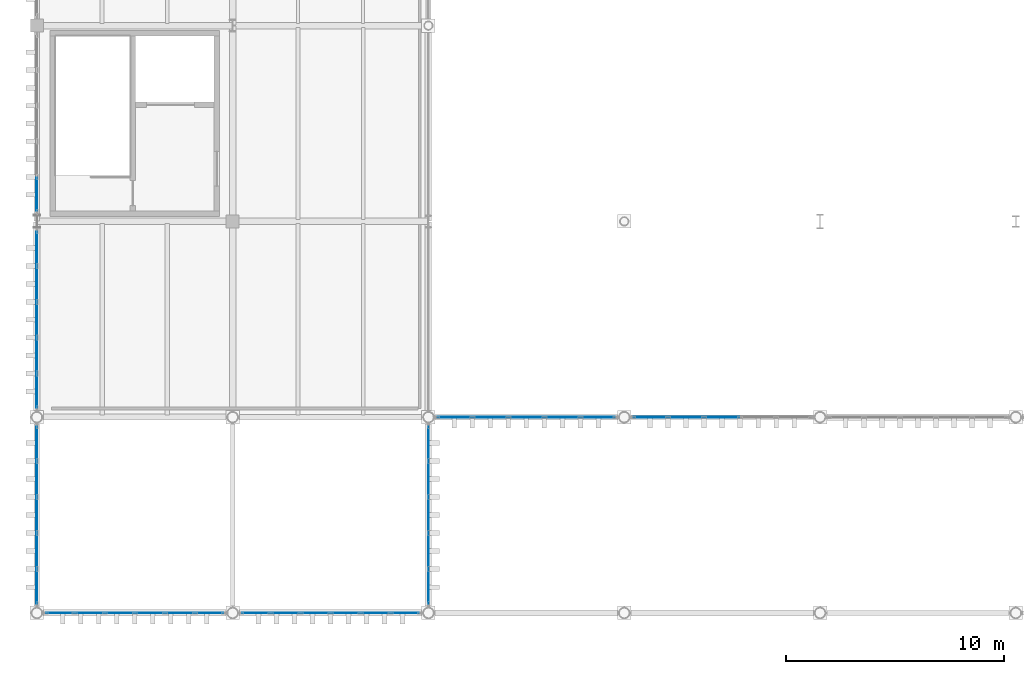
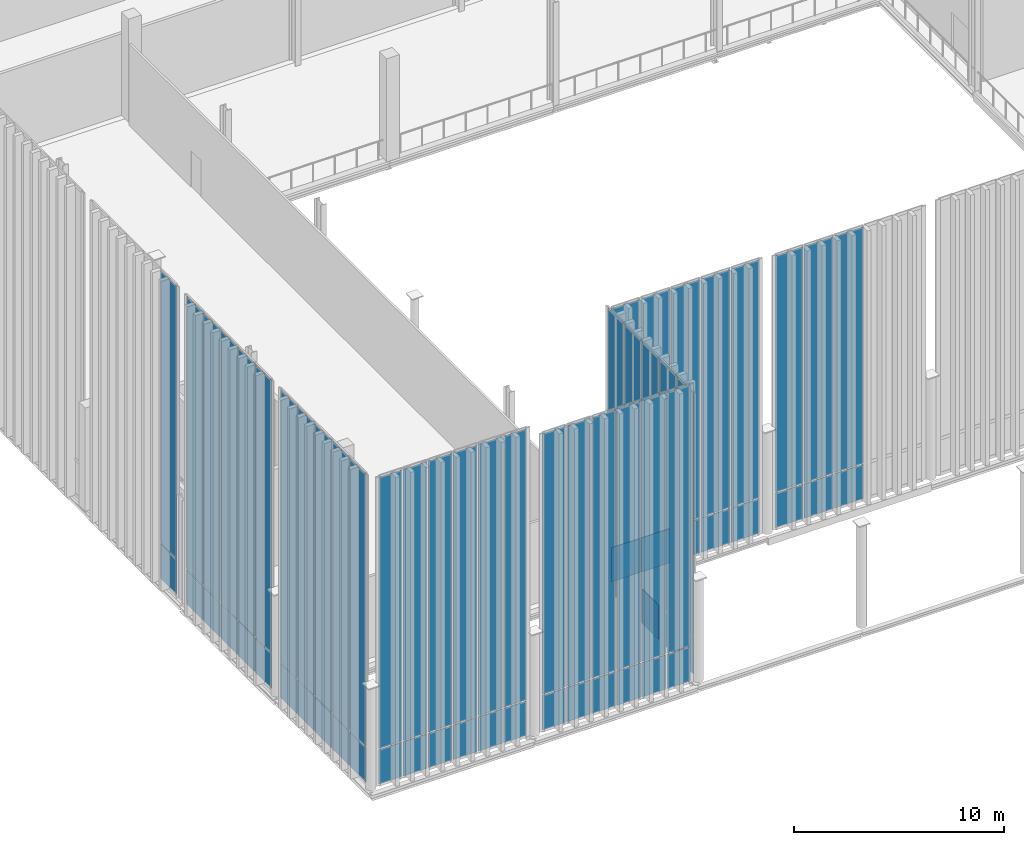
# One storey, part 181 of 237: 72 plates, 8 elements without a shape of their own.
"""IFC4 building model written with IfcOpenShell, lengths in metres."""

import ifcopenshell
import ifcopenshell.guid

model = None  # the IFC model being written
_history = None  # IfcOwnerHistory: only IFC2X3 demands one
_inside = {}  # id of a spatial element -> (the spatial element, [elements in it])
_under = {}  # id of a project, library or spatial element -> (it, [spatial elements below it])
_declared = {}  # id of a project -> (the project, [libraries it declares])
_typed = {}  # id of a type object -> (the type object, [elements of that type])
_made_of = {}  # id of a material, layer set ... -> (it, [elements and type objects made of it])


def new_model(schema):
    """Start an empty IFC model of exactly this schema.

    Asked for "IFC4X3", IfcOpenShell would pick the latest addendum, in which some entities
    have other attributes; the version numbers below select the first issue.
    IFC2X3 requires an IfcOwnerHistory on every rooted entity: one is made here for all.
    """
    global model, _history
    if schema == "IFC4X3":
        model = ifcopenshell.file(schema_version=(4, 3, 0, 0))
    else:
        model = ifcopenshell.file(schema=schema)
    _inside.clear()
    _under.clear()
    _declared.clear()
    _typed.clear()
    _made_of.clear()
    _history = None
    if model.schema == "IFC2X3":
        org = make("IfcOrganization", Name="unknown")
        user = make(
            "IfcPersonAndOrganization",
            ThePerson=make("IfcPerson", FamilyName="unknown"),
            TheOrganization=org,
        )
        app = make(
            "IfcApplication",
            ApplicationDeveloper=org,
            Version="unknown",
            ApplicationFullName="unknown",
            ApplicationIdentifier="unknown",
        )
        _history = make(
            "IfcOwnerHistory",
            OwningUser=user,
            OwningApplication=app,
            ChangeAction="ADDED",
            CreationDate=0,
        )
    return model


def make(cls, **values):
    """One entity of the class cls with the attributes given. An attribute that is None is left unset."""
    return model.create_entity(
        cls, **{name: value for name, value in values.items() if value is not None}
    )


def rooted(cls, **values):
    """An entity with a GlobalId (a new one), such as an element, a storey or a relation."""
    return make(cls, GlobalId=ifcopenshell.guid.new(), OwnerHistory=_history, **values)


def si_unit(unit_type, name, prefix=None):
    """IfcSIUnit, for example si_unit("LENGTHUNIT", "METRE", prefix="MILLI")."""
    return make("IfcSIUnit", UnitType=unit_type, Prefix=prefix, Name=name)


def assignment(units):
    """IfcUnitAssignment: the units of a project."""
    return None if units is None else make("IfcUnitAssignment", Units=units)


def point(xyz):
    """IfcCartesianPoint."""
    return None if xyz is None else make("IfcCartesianPoint", Coordinates=xyz)


def direction(xyz):
    """IfcDirection."""
    return None if xyz is None else make("IfcDirection", DirectionRatios=xyz)


def frame(location, z_axis=None, x_axis=None):
    """IfcAxis2Placement3D, a coordinate frame: its origin and axes. An axis left out is left unset."""
    return make(
        "IfcAxis2Placement3D",
        Location=point(location),
        Axis=direction(z_axis),
        RefDirection=direction(x_axis),
    )


def frame_2d(location, x_axis=None):
    """IfcAxis2Placement2D, a coordinate frame in the plane: its origin and x axis."""
    return make(
        "IfcAxis2Placement2D", Location=point(location), RefDirection=direction(x_axis)
    )


def origin():
    """The frame at (0, 0, 0) with its axes left unset."""
    return frame((0.0, 0.0, 0.0))


def origin_2d():
    """The frame at (0, 0) in the plane with its x axis left unset."""
    return frame_2d((0.0, 0.0))


def place(relative_to, where):
    """IfcLocalPlacement: puts the frame where relative to a parent placement (None: the world)."""
    return make(
        "IfcLocalPlacement", PlacementRelTo=relative_to, RelativePlacement=where
    )


def context(
    kind, dimensions, precision=None, world=None, true_north=None, identifier=None
):
    """IfcGeometricRepresentationContext, for example the 3D "Model" context."""
    return make(
        "IfcGeometricRepresentationContext",
        ContextIdentifier=identifier,
        ContextType=kind,
        CoordinateSpaceDimension=dimensions,
        Precision=precision,
        WorldCoordinateSystem=world,
        TrueNorth=true_north,
    )


def subcontext(parent, identifier, kind, view, scale=None):
    """IfcGeometricRepresentationSubContext, for example "Body" below "Model"."""
    return make(
        "IfcGeometricRepresentationSubContext",
        ContextIdentifier=identifier,
        ContextType=kind,
        ParentContext=parent,
        TargetScale=scale,
        TargetView=view,
    )


def project(units=None, contexts=None):
    """IfcProject with its units and contexts."""
    return rooted(
        "IfcProject",
        Name="project",
        RepresentationContexts=contexts,
        UnitsInContext=assignment(units),
    )


def spatial(cls, under=None, at=None, **own):
    """A site, building, storey or space (cls), placed at a placement, below another one or the project."""
    s = rooted(cls, ObjectPlacement=at, **own)
    if under is not None:
        _under.setdefault(under.id(), (under, []))[1].append(s)
    return s


def profile(cls, at=None, kind="AREA", **sizes):
    """A parametric profile (cls). Its sizes go by their IFC names, for example OverallWidth=200.0."""
    return make(cls, ProfileType=kind, Position=at, **sizes)


def rectangle(**sizes):
    """IfcRectangleProfileDef."""
    return profile("IfcRectangleProfileDef", **sizes)


def extrude(swept, where, along, depth):
    """IfcExtrudedAreaSolid: the profile swept, set in the frame where, extruded along a direction by depth."""
    return make(
        "IfcExtrudedAreaSolid",
        SweptArea=swept,
        Position=where,
        ExtrudedDirection=direction(along),
        Depth=depth,
    )


def shape(context_of_items, identifier, shape_type, items):
    """IfcShapeRepresentation: the items that make up one representation, for example the "Body"."""
    return make(
        "IfcShapeRepresentation",
        ContextOfItems=context_of_items,
        RepresentationIdentifier=identifier,
        RepresentationType=shape_type,
        Items=items,
    )


def material(Name=None, Category=None):
    """IfcMaterial."""
    return make("IfcMaterial", Name=Name, Category=Category)


def layer(
    of_material, thickness, ventilated=None, Name=None, Category=None, Priority=None
):
    """IfcMaterialLayer: one layer of a wall or slab, of a material (None: an air gap)."""
    return make(
        "IfcMaterialLayer",
        Material=of_material,
        LayerThickness=thickness,
        IsVentilated=ventilated,
        Name=Name,
        Category=Category,
        Priority=Priority,
    )


def layer_set(layers, Name=None):
    """IfcMaterialLayerSet."""
    return make("IfcMaterialLayerSet", MaterialLayers=layers, LayerSetName=Name)


def made_of(thing, what):
    """Note that an element or type object is made of a material, layer set ...; save() writes the relation."""
    if what is not None:
        _made_of.setdefault(what.id(), (what, []))[1].append(thing)
    return thing


def type_object(cls, material=None, **own):
    """A type object (cls), such as IfcWallType, which elements share."""
    return made_of(rooted(cls, **own), material)


def element(
    cls,
    number,
    at=None,
    inside=None,
    cuts=None,
    type_object=None,
    material=None,
    context=None,
    identifier="Body",
    shape_type=None,
    held_by="IfcProductDefinitionShape",
    body=None,
    shapes=None,
    **own,
):
    """One element of the class cls, such as IfcWall. Its Tag is "e" and its number.

    at: its placement. inside: the storey or other place that contains it. cuts: it is an
    opening in that element (IfcRelVoidsElement). A single representation is given by context,
    identifier, shape_type and body (its items); several are given by shapes. held_by: the class
    of the entity that holds the representations. save() writes the other relations.
    """
    e = rooted(cls, Tag="e%d" % number, ObjectPlacement=at, **own)
    if body is not None:
        shapes = [shape(context, identifier, shape_type, body)]
    if shapes is not None:
        e.Representation = make(held_by, Representations=shapes)
    if inside is not None:
        _inside.setdefault(inside.id(), (inside, []))[1].append(e)
    if cuts is not None:
        rooted(
            "IfcRelVoidsElement", RelatingBuildingElement=cuts, RelatedOpeningElement=e
        )
    if type_object is not None:
        _typed.setdefault(type_object.id(), (type_object, []))[1].append(e)
    return made_of(e, material)


def aggregate(whole, parts):
    """IfcRelAggregates: a whole, such as a stair, and the parts it consists of."""
    return rooted("IfcRelAggregates", RelatingObject=whole, RelatedObjects=parts)


def save(model, path):
    """Write the relations noted so far, then the file.

    IfcRelAggregates (storeys below a building ...), IfcRelContainedInSpatialStructure (elements
    in a storey), IfcRelDefinesByType, IfcRelAssociatesMaterial and IfcRelDeclares: one each for
    every whole, place, type object, material and project.
    """
    for whole, parts in _under.values():
        aggregate(whole, parts)
    for where, things in _inside.values():
        rooted(
            "IfcRelContainedInSpatialStructure",
            RelatedElements=things,
            RelatingStructure=where,
        )
    for kind, things in _typed.values():
        rooted("IfcRelDefinesByType", RelatedObjects=things, RelatingType=kind)
    for what, things in _made_of.values():
        rooted("IfcRelAssociatesMaterial", RelatedObjects=things, RelatingMaterial=what)
    for by, libraries in _declared.values():
        rooted("IfcRelDeclares", RelatingContext=by, RelatedDefinitions=libraries)
    model.write(path)


model = new_model("IFC4")

# Units and contexts
model_context = context("Model", 3, precision=1e-05, world=origin(), true_north=direction((0.0, 1.0)))
body_context = subcontext(model_context, "Body", "Model", "MODEL_VIEW")
ifc_project = project(units=[si_unit("LENGTHUNIT", "METRE"), si_unit("AREAUNIT", "SQUARE_METRE"), si_unit("VOLUMEUNIT", "CUBIC_METRE"), si_unit("PLANEANGLEUNIT", "RADIAN"), si_unit("MASSUNIT", "GRAM", prefix="KILO")], contexts=[model_context])

# Site, building, storey
site_placement = place(None, origin())
site = spatial("IfcSite", under=ifc_project, at=site_placement, CompositionType="ELEMENT")
building_placement = place(site_placement, origin())
building = spatial("IfcBuilding", under=site, at=building_placement, Name="Barlavento Convention Centre", CompositionType="ELEMENT")
storey_placement = place(building_placement, frame((0.0, 0.0, 12.0)))
storey = spatial("IfcBuildingStorey", under=building, at=storey_placement, Name="L02", CompositionType="ELEMENT", Elevation=12.0)

# Curtain wall, plates
ifc_material_1 = material(Name="Powder-coated aluminium and Low-E glass", Category="aluminium")
ifc_layer_1 = layer(ifc_material_1, 0.18994140625)
ifc_layer_set_1 = layer_set([ifc_layer_1], Name="ARC-CW-CONG-L02")
curtain_wall_type = type_object("IfcCurtainWallType", Name="ARC-CW-CONG-L02", PredefinedType="NOTDEFINED", material=ifc_layer_set_1)
curtain_wall_1_placement = place(storey_placement, origin())
curtain_wall_1 = element("IfcCurtainWall", 1, at=curtain_wall_1_placement, inside=storey, type_object=curtain_wall_type, Name="L02 unitised curtain wall CW02", PredefinedType="NOTDEFINED")
ifc_material_2 = material(Name="Triple-glazed typhoon vision glass", Category="glass")
ifc_layer_2 = layer(ifc_material_2, 0.035888671875)
ifc_layer_set_2 = layer_set([ifc_layer_2], Name="ARC-CWP-GLZ36")
plate_type = type_object("IfcPlateType", Name="ARC-CWP-GLZ36", PredefinedType="CURTAIN_PANEL", material=ifc_layer_set_2)
plate_1_placement = place(storey_placement, frame((1.06787109375, 0.0, 0.06982421875), z_axis=(0.0, 0.0, 1.0), x_axis=(1.0, 0.0, 0.0)))
plate_1 = element("IfcPlate", 2, at=plate_1_placement, type_object=plate_type, Name="CW02 panel 1.1", PredefinedType="CURTAIN_PANEL", context=body_context, shape_type="SweptSolid", body=[
    extrude(rectangle(XDim=1.267822265625, YDim=0.035888671875, at=origin_2d()), origin(), (0.0, 0.0, 1.0), 1.9951171875),
])
plate_2_placement = place(storey_placement, frame((1.06787109375, 0.0, 2.135009765625), z_axis=(0.0, 0.0, 1.0), x_axis=(1.0, 0.0, 0.0)))
plate_2 = element("IfcPlate", 3, at=plate_2_placement, type_object=plate_type, Name="CW02 panel 1.2", PredefinedType="CURTAIN_PANEL", context=body_context, shape_type="SweptSolid", body=[
    extrude(rectangle(XDim=1.267822265625, YDim=0.035888671875, at=origin_2d()), origin(), (0.0, 0.0, 1.0), 15.76708984375),
])
plate_3_placement = place(storey_placement, frame((2.429443359375, 0.0, 0.06982421875), z_axis=(0.0, 0.0, 1.0), x_axis=(1.0, 0.0, 0.0)))
plate_3 = element("IfcPlate", 4, at=plate_3_placement, type_object=plate_type, Name="CW02 panel 2.1", PredefinedType="CURTAIN_PANEL", context=body_context, shape_type="SweptSolid", body=[
    extrude(rectangle(XDim=1.305419921875, YDim=0.035888671875, at=origin_2d()), origin(), (0.0, 0.0, 1.0), 1.9951171875),
])
plate_4_placement = place(storey_placement, frame((2.429443359375, 0.0, 2.135009765625), z_axis=(0.0, 0.0, 1.0), x_axis=(1.0, 0.0, 0.0)))
plate_4 = element("IfcPlate", 5, at=plate_4_placement, type_object=plate_type, Name="CW02 panel 2.2", PredefinedType="CURTAIN_PANEL", context=body_context, shape_type="SweptSolid", body=[
    extrude(rectangle(XDim=1.305419921875, YDim=0.035888671875, at=origin_2d()), origin(), (0.0, 0.0, 1.0), 15.76708984375),
])
plate_5_placement = place(storey_placement, frame((3.809814453125, 0.0, 0.06982421875), z_axis=(0.0, 0.0, 1.0), x_axis=(1.0, 0.0, 0.0)))
plate_5 = element("IfcPlate", 6, at=plate_5_placement, type_object=plate_type, Name="CW02 panel 3.1", PredefinedType="CURTAIN_PANEL", context=body_context, shape_type="SweptSolid", body=[
    extrude(rectangle(XDim=1.305419921875, YDim=0.035888671875, at=origin_2d()), origin(), (0.0, 0.0, 1.0), 1.9951171875),
])
plate_6_placement = place(storey_placement, frame((3.809814453125, 0.0, 2.135009765625), z_axis=(0.0, 0.0, 1.0), x_axis=(1.0, 0.0, 0.0)))
plate_6 = element("IfcPlate", 7, at=plate_6_placement, type_object=plate_type, Name="CW02 panel 3.2", PredefinedType="CURTAIN_PANEL", context=body_context, shape_type="SweptSolid", body=[
    extrude(rectangle(XDim=1.305419921875, YDim=0.035888671875, at=origin_2d()), origin(), (0.0, 0.0, 1.0), 15.76708984375),
])
plate_7_placement = place(storey_placement, frame((5.190185546875, 0.0, 0.06982421875), z_axis=(0.0, 0.0, 1.0), x_axis=(1.0, 0.0, 0.0)))
plate_7 = element("IfcPlate", 8, at=plate_7_placement, type_object=plate_type, Name="CW02 panel 4.1", PredefinedType="CURTAIN_PANEL", context=body_context, shape_type="SweptSolid", body=[
    extrude(rectangle(XDim=1.305419921875, YDim=0.035888671875, at=origin_2d()), origin(), (0.0, 0.0, 1.0), 1.9951171875),
])
plate_8_placement = place(storey_placement, frame((5.190185546875, 0.0, 2.135009765625), z_axis=(0.0, 0.0, 1.0), x_axis=(1.0, 0.0, 0.0)))
plate_8 = element("IfcPlate", 9, at=plate_8_placement, type_object=plate_type, Name="CW02 panel 4.2", PredefinedType="CURTAIN_PANEL", context=body_context, shape_type="SweptSolid", body=[
    extrude(rectangle(XDim=1.305419921875, YDim=0.035888671875, at=origin_2d()), origin(), (0.0, 0.0, 1.0), 15.76708984375),
])
plate_9_placement = place(storey_placement, frame((6.570556640625, 0.0, 0.06982421875), z_axis=(0.0, 0.0, 1.0), x_axis=(1.0, 0.0, 0.0)))
plate_9 = element("IfcPlate", 10, at=plate_9_placement, type_object=plate_type, Name="CW02 panel 5.1", PredefinedType="CURTAIN_PANEL", context=body_context, shape_type="SweptSolid", body=[
    extrude(rectangle(XDim=1.305419921875, YDim=0.035888671875, at=origin_2d()), origin(), (0.0, 0.0, 1.0), 1.9951171875),
])
plate_10_placement = place(storey_placement, frame((6.570556640625, 0.0, 2.135009765625), z_axis=(0.0, 0.0, 1.0), x_axis=(1.0, 0.0, 0.0)))
plate_10 = element("IfcPlate", 11, at=plate_10_placement, type_object=plate_type, Name="CW02 panel 5.2", PredefinedType="CURTAIN_PANEL", context=body_context, shape_type="SweptSolid", body=[
    extrude(rectangle(XDim=1.305419921875, YDim=0.035888671875, at=origin_2d()), origin(), (0.0, 0.0, 1.0), 15.76708984375),
])
plate_11_placement = place(storey_placement, frame((7.93212890625, 0.0, 0.06982421875), z_axis=(0.0, 0.0, 1.0), x_axis=(1.0, 0.0, 0.0)))
plate_11 = element("IfcPlate", 12, at=plate_11_placement, type_object=plate_type, Name="CW02 panel 6.1", PredefinedType="CURTAIN_PANEL", context=body_context, shape_type="SweptSolid", body=[
    extrude(rectangle(XDim=1.267822265625, YDim=0.035888671875, at=origin_2d()), origin(), (0.0, 0.0, 1.0), 1.9951171875),
])
plate_12_placement = place(storey_placement, frame((7.93212890625, 0.0, 2.135009765625), z_axis=(0.0, 0.0, 1.0), x_axis=(1.0, 0.0, 0.0)))
plate_12 = element("IfcPlate", 13, at=plate_12_placement, type_object=plate_type, Name="CW02 panel 6.2", PredefinedType="CURTAIN_PANEL", context=body_context, shape_type="SweptSolid", body=[
    extrude(rectangle(XDim=1.267822265625, YDim=0.035888671875, at=origin_2d()), origin(), (0.0, 0.0, 1.0), 15.76708984375),
])
aggregate(curtain_wall_1, [plate_1, plate_2, plate_3, plate_4, plate_5, plate_6, plate_7, plate_8, plate_9, plate_10, plate_11, plate_12])

curtain_wall_2_placement = place(storey_placement, origin())
curtain_wall_2 = element("IfcCurtainWall", 14, at=curtain_wall_2_placement, inside=storey, type_object=curtain_wall_type, Name="L02 unitised curtain wall CW02", PredefinedType="NOTDEFINED")
plate_13_placement = place(storey_placement, frame((10.06787109375, 0.0, 0.06982421875), z_axis=(0.0, 0.0, 1.0), x_axis=(1.0, 0.0, 0.0)))
plate_13 = element("IfcPlate", 15, at=plate_13_placement, type_object=plate_type, Name="CW02 panel 1.1", PredefinedType="CURTAIN_PANEL", context=body_context, shape_type="SweptSolid", body=[
    extrude(rectangle(XDim=1.267822265625, YDim=0.035888671875, at=origin_2d()), origin(), (0.0, 0.0, 1.0), 1.9951171875),
])
plate_14_placement = place(storey_placement, frame((10.06787109375, 0.0, 2.135009765625), z_axis=(0.0, 0.0, 1.0), x_axis=(1.0, 0.0, 0.0)))
plate_14 = element("IfcPlate", 16, at=plate_14_placement, type_object=plate_type, Name="CW02 panel 1.2", PredefinedType="CURTAIN_PANEL", context=body_context, shape_type="SweptSolid", body=[
    extrude(rectangle(XDim=1.267822265625, YDim=0.035888671875, at=origin_2d()), origin(), (0.0, 0.0, 1.0), 15.14892578125),
])
plate_15_placement = place(storey_placement, frame((11.429443359375, 0.0, 0.06982421875), z_axis=(0.0, 0.0, 1.0), x_axis=(1.0, 0.0, 0.0)))
plate_15 = element("IfcPlate", 17, at=plate_15_placement, type_object=plate_type, Name="CW02 panel 2.1", PredefinedType="CURTAIN_PANEL", context=body_context, shape_type="SweptSolid", body=[
    extrude(rectangle(XDim=1.305419921875, YDim=0.035888671875, at=origin_2d()), origin(), (0.0, 0.0, 1.0), 1.9951171875),
])
plate_16_placement = place(storey_placement, frame((11.429443359375, 0.0, 2.135009765625), z_axis=(0.0, 0.0, 1.0), x_axis=(1.0, 0.0, 0.0)))
plate_16 = element("IfcPlate", 18, at=plate_16_placement, type_object=plate_type, Name="CW02 panel 2.2", PredefinedType="CURTAIN_PANEL", context=body_context, shape_type="SweptSolid", body=[
    extrude(rectangle(XDim=1.305419921875, YDim=0.035888671875, at=origin_2d()), origin(), (0.0, 0.0, 1.0), 15.14892578125),
])
plate_17_placement = place(storey_placement, frame((12.809814453125, 0.0, 0.06982421875), z_axis=(0.0, 0.0, 1.0), x_axis=(1.0, 0.0, 0.0)))
plate_17 = element("IfcPlate", 19, at=plate_17_placement, type_object=plate_type, Name="CW02 panel 3.1", PredefinedType="CURTAIN_PANEL", context=body_context, shape_type="SweptSolid", body=[
    extrude(rectangle(XDim=1.305419921875, YDim=0.035888671875, at=origin_2d()), origin(), (0.0, 0.0, 1.0), 1.9951171875),
])
plate_18_placement = place(storey_placement, frame((12.809814453125, 0.0, 2.135009765625), z_axis=(0.0, 0.0, 1.0), x_axis=(1.0, 0.0, 0.0)))
plate_18 = element("IfcPlate", 20, at=plate_18_placement, type_object=plate_type, Name="CW02 panel 3.2", PredefinedType="CURTAIN_PANEL", context=body_context, shape_type="SweptSolid", body=[
    extrude(rectangle(XDim=1.305419921875, YDim=0.035888671875, at=origin_2d()), origin(), (0.0, 0.0, 1.0), 15.14892578125),
])
plate_19_placement = place(storey_placement, frame((14.190185546875, 0.0, 0.06982421875), z_axis=(0.0, 0.0, 1.0), x_axis=(1.0, 0.0, 0.0)))
plate_19 = element("IfcPlate", 21, at=plate_19_placement, type_object=plate_type, Name="CW02 panel 4.1", PredefinedType="CURTAIN_PANEL", context=body_context, shape_type="SweptSolid", body=[
    extrude(rectangle(XDim=1.305419921875, YDim=0.035888671875, at=origin_2d()), origin(), (0.0, 0.0, 1.0), 1.9951171875),
])
plate_20_placement = place(storey_placement, frame((14.190185546875, 0.0, 2.135009765625), z_axis=(0.0, 0.0, 1.0), x_axis=(1.0, 0.0, 0.0)))
plate_20 = element("IfcPlate", 22, at=plate_20_placement, type_object=plate_type, Name="CW02 panel 4.2", PredefinedType="CURTAIN_PANEL", context=body_context, shape_type="SweptSolid", body=[
    extrude(rectangle(XDim=1.305419921875, YDim=0.035888671875, at=origin_2d()), origin(), (0.0, 0.0, 1.0), 15.14892578125),
])
plate_21_placement = place(storey_placement, frame((15.570556640625, 0.0, 0.06982421875), z_axis=(0.0, 0.0, 1.0), x_axis=(1.0, 0.0, 0.0)))
plate_21 = element("IfcPlate", 23, at=plate_21_placement, type_object=plate_type, Name="CW02 panel 5.1", PredefinedType="CURTAIN_PANEL", context=body_context, shape_type="SweptSolid", body=[
    extrude(rectangle(XDim=1.305419921875, YDim=0.035888671875, at=origin_2d()), origin(), (0.0, 0.0, 1.0), 1.9951171875),
])
plate_22_placement = place(storey_placement, frame((15.570556640625, 0.0, 2.135009765625), z_axis=(0.0, 0.0, 1.0), x_axis=(1.0, 0.0, 0.0)))
plate_22 = element("IfcPlate", 24, at=plate_22_placement, type_object=plate_type, Name="CW02 panel 5.2", PredefinedType="CURTAIN_PANEL", context=body_context, shape_type="SweptSolid", body=[
    extrude(rectangle(XDim=1.305419921875, YDim=0.035888671875, at=origin_2d()), origin(), (0.0, 0.0, 1.0), 15.14892578125),
])
plate_23_placement = place(storey_placement, frame((16.93212890625, 0.0, 0.06982421875), z_axis=(0.0, 0.0, 1.0), x_axis=(1.0, 0.0, 0.0)))
plate_23 = element("IfcPlate", 25, at=plate_23_placement, type_object=plate_type, Name="CW02 panel 6.1", PredefinedType="CURTAIN_PANEL", context=body_context, shape_type="SweptSolid", body=[
    extrude(rectangle(XDim=1.267822265625, YDim=0.035888671875, at=origin_2d()), origin(), (0.0, 0.0, 1.0), 1.9951171875),
])
plate_24_placement = place(storey_placement, frame((16.93212890625, 0.0, 2.135009765625), z_axis=(0.0, 0.0, 1.0), x_axis=(1.0, 0.0, 0.0)))
plate_24 = element("IfcPlate", 26, at=plate_24_placement, type_object=plate_type, Name="CW02 panel 6.2", PredefinedType="CURTAIN_PANEL", context=body_context, shape_type="SweptSolid", body=[
    extrude(rectangle(XDim=1.267822265625, YDim=0.035888671875, at=origin_2d()), origin(), (0.0, 0.0, 1.0), 15.14892578125),
])
aggregate(curtain_wall_2, [plate_13, plate_14, plate_15, plate_16, plate_17, plate_18, plate_19, plate_20, plate_21, plate_22, plate_23, plate_24])

curtain_wall_3_placement = place(storey_placement, origin())
curtain_wall_3 = element("IfcCurtainWall", 27, at=curtain_wall_3_placement, inside=storey, type_object=curtain_wall_type, Name="L02 unitised curtain wall CW02", PredefinedType="NOTDEFINED")
plate_25_placement = place(storey_placement, frame((0.0, 10.201416015625, 0.06982421875), z_axis=(0.0, 0.0, 1.0), x_axis=(0.0, 1.0, 0.0)))
plate_25 = element("IfcPlate", 28, at=plate_25_placement, type_object=plate_type, Name="CW02 panel 1.1", PredefinedType="CURTAIN_PANEL", context=body_context, shape_type="SweptSolid", body=[
    extrude(rectangle(XDim=1.53466796875, YDim=0.035888671875, at=origin_2d()), origin(), (0.0, 0.0, 1.0), 1.9951171875),
])
plate_26_placement = place(storey_placement, frame((0.0, 10.201416015625, 2.135009765625), z_axis=(0.0, 0.0, 1.0), x_axis=(0.0, 1.0, 0.0)))
plate_26 = element("IfcPlate", 29, at=plate_26_placement, type_object=plate_type, Name="CW02 panel 1.2", PredefinedType="CURTAIN_PANEL", context=body_context, shape_type="SweptSolid", body=[
    extrude(rectangle(XDim=1.53466796875, YDim=0.035888671875, at=origin_2d()), origin(), (0.0, 0.0, 1.0), 15.83203125),
])
plate_27_placement = place(storey_placement, frame((0.0, 11.829833984375, 0.06982421875), z_axis=(0.0, 0.0, 1.0), x_axis=(0.0, 1.0, 0.0)))
plate_27 = element("IfcPlate", 30, at=plate_27_placement, type_object=plate_type, Name="CW02 panel 2.1", PredefinedType="CURTAIN_PANEL", context=body_context, shape_type="SweptSolid", body=[
    extrude(rectangle(XDim=1.572265625, YDim=0.035888671875, at=origin_2d()), origin(), (0.0, 0.0, 1.0), 1.9951171875),
])
plate_28_placement = place(storey_placement, frame((0.0, 11.829833984375, 2.135009765625), z_axis=(0.0, 0.0, 1.0), x_axis=(0.0, 1.0, 0.0)))
plate_28 = element("IfcPlate", 31, at=plate_28_placement, type_object=plate_type, Name="CW02 panel 2.2", PredefinedType="CURTAIN_PANEL", context=body_context, shape_type="SweptSolid", body=[
    extrude(rectangle(XDim=1.572265625, YDim=0.035888671875, at=origin_2d()), origin(), (0.0, 0.0, 1.0), 15.83203125),
])
plate_29_placement = place(storey_placement, frame((0.0, 13.47705078125, 0.06982421875), z_axis=(0.0, 0.0, 1.0), x_axis=(0.0, 1.0, 0.0)))
plate_29 = element("IfcPlate", 32, at=plate_29_placement, type_object=plate_type, Name="CW02 panel 3.1", PredefinedType="CURTAIN_PANEL", context=body_context, shape_type="SweptSolid", body=[
    extrude(rectangle(XDim=1.572265625, YDim=0.035888671875, at=origin_2d()), origin(), (0.0, 0.0, 1.0), 1.9951171875),
])
plate_30_placement = place(storey_placement, frame((0.0, 13.47705078125, 2.135009765625), z_axis=(0.0, 0.0, 1.0), x_axis=(0.0, 1.0, 0.0)))
plate_30 = element("IfcPlate", 33, at=plate_30_placement, type_object=plate_type, Name="CW02 panel 3.2", PredefinedType="CURTAIN_PANEL", context=body_context, shape_type="SweptSolid", body=[
    extrude(rectangle(XDim=1.572265625, YDim=0.035888671875, at=origin_2d()), origin(), (0.0, 0.0, 1.0), 15.83203125),
])
plate_31_placement = place(storey_placement, frame((0.0, 15.124267578125, 0.06982421875), z_axis=(0.0, 0.0, 1.0), x_axis=(0.0, 1.0, 0.0)))
plate_31 = element("IfcPlate", 34, at=plate_31_placement, type_object=plate_type, Name="CW02 panel 4.1", PredefinedType="CURTAIN_PANEL", context=body_context, shape_type="SweptSolid", body=[
    extrude(rectangle(XDim=1.572265625, YDim=0.035888671875, at=origin_2d()), origin(), (0.0, 0.0, 1.0), 1.9951171875),
])
plate_32_placement = place(storey_placement, frame((0.0, 15.124267578125, 2.135009765625), z_axis=(0.0, 0.0, 1.0), x_axis=(0.0, 1.0, 0.0)))
plate_32 = element("IfcPlate", 35, at=plate_32_placement, type_object=plate_type, Name="CW02 panel 4.2", PredefinedType="CURTAIN_PANEL", context=body_context, shape_type="SweptSolid", body=[
    extrude(rectangle(XDim=1.572265625, YDim=0.035888671875, at=origin_2d()), origin(), (0.0, 0.0, 1.0), 15.83203125),
])
plate_33_placement = place(storey_placement, frame((0.0, 16.752685546875, 0.06982421875), z_axis=(0.0, 0.0, 1.0), x_axis=(0.0, 1.0, 0.0)))
plate_33 = element("IfcPlate", 36, at=plate_33_placement, type_object=plate_type, Name="CW02 panel 5.1", PredefinedType="CURTAIN_PANEL", context=body_context, shape_type="SweptSolid", body=[
    extrude(rectangle(XDim=1.53466796875, YDim=0.035888671875, at=origin_2d()), origin(), (0.0, 0.0, 1.0), 1.9951171875),
])
plate_34_placement = place(storey_placement, frame((0.0, 16.752685546875, 2.135009765625), z_axis=(0.0, 0.0, 1.0), x_axis=(0.0, 1.0, 0.0)))
plate_34 = element("IfcPlate", 37, at=plate_34_placement, type_object=plate_type, Name="CW02 panel 5.2", PredefinedType="CURTAIN_PANEL", context=body_context, shape_type="SweptSolid", body=[
    extrude(rectangle(XDim=1.53466796875, YDim=0.035888671875, at=origin_2d()), origin(), (0.0, 0.0, 1.0), 15.83203125),
])
aggregate(curtain_wall_3, [plate_25, plate_26, plate_27, plate_28, plate_29, plate_30, plate_31, plate_32, plate_33, plate_34])

curtain_wall_4_placement = place(storey_placement, origin())
curtain_wall_4 = element("IfcCurtainWall", 38, at=curtain_wall_4_placement, inside=storey, type_object=curtain_wall_type, Name="L02 unitised curtain wall CW02", PredefinedType="NOTDEFINED")
plate_35_placement = place(storey_placement, frame((0.0, 19.24267578125, 0.06982421875), z_axis=(0.0, 0.0, 1.0), x_axis=(0.0, 1.0, 0.0)))
plate_35 = element("IfcPlate", 39, at=plate_35_placement, type_object=plate_type, Name="CW02 panel 1.1", PredefinedType="CURTAIN_PANEL", context=body_context, shape_type="SweptSolid", body=[
    extrude(rectangle(XDim=1.525390625, YDim=0.035888671875, at=origin_2d()), origin(), (0.0, 0.0, 1.0), 1.9951171875),
])
plate_36_placement = place(storey_placement, frame((0.0, 19.24267578125, 2.135009765625), z_axis=(0.0, 0.0, 1.0), x_axis=(0.0, 1.0, 0.0)))
plate_36 = element("IfcPlate", 40, at=plate_36_placement, type_object=plate_type, Name="CW02 panel 1.2", PredefinedType="CURTAIN_PANEL", context=body_context, shape_type="SweptSolid", body=[
    extrude(rectangle(XDim=1.525390625, YDim=0.035888671875, at=origin_2d()), origin(), (0.0, 0.0, 1.0), 15.83203125),
])
aggregate(curtain_wall_4, [plate_35, plate_36])

curtain_wall_5_placement = place(storey_placement, origin())
curtain_wall_5 = element("IfcCurtainWall", 41, at=curtain_wall_5_placement, inside=storey, type_object=curtain_wall_type, Name="L02 unitised curtain wall CW02", PredefinedType="NOTDEFINED")
plate_37_placement = place(storey_placement, frame((19.2060546875, 9.0, 0.06982421875), z_axis=(0.0, 0.0, 1.0), x_axis=(1.0, 0.0, 0.0)))
plate_37 = element("IfcPlate", 42, at=plate_37_placement, type_object=plate_type, Name="CW02 panel 1.1", PredefinedType="CURTAIN_PANEL", context=body_context, shape_type="SweptSolid", body=[
    extrude(rectangle(XDim=1.5439453125, YDim=0.035888671875, at=origin_2d()), origin(), (0.0, 0.0, 1.0), 1.9951171875),
])
plate_38_placement = place(storey_placement, frame((19.2060546875, 9.0, 2.135009765625), z_axis=(0.0, 0.0, 1.0), x_axis=(1.0, 0.0, 0.0)))
plate_38 = element("IfcPlate", 43, at=plate_38_placement, type_object=plate_type, Name="CW02 panel 1.2", PredefinedType="CURTAIN_PANEL", context=body_context, shape_type="SweptSolid", body=[
    extrude(rectangle(XDim=1.5439453125, YDim=0.035888671875, at=origin_2d()), origin(), (0.0, 0.0, 1.0), 13.83203125),
])
plate_39_placement = place(storey_placement, frame((20.843505859375, 9.0, 0.06982421875), z_axis=(0.0, 0.0, 1.0), x_axis=(1.0, 0.0, 0.0)))
plate_39 = element("IfcPlate", 44, at=plate_39_placement, type_object=plate_type, Name="CW02 panel 2.1", PredefinedType="CURTAIN_PANEL", context=body_context, shape_type="SweptSolid", body=[
    extrude(rectangle(XDim=1.581298828125, YDim=0.035888671875, at=origin_2d()), origin(), (0.0, 0.0, 1.0), 1.9951171875),
])
plate_40_placement = place(storey_placement, frame((20.843505859375, 9.0, 2.135009765625), z_axis=(0.0, 0.0, 1.0), x_axis=(1.0, 0.0, 0.0)))
plate_40 = element("IfcPlate", 45, at=plate_40_placement, type_object=plate_type, Name="CW02 panel 2.2", PredefinedType="CURTAIN_PANEL", context=body_context, shape_type="SweptSolid", body=[
    extrude(rectangle(XDim=1.581298828125, YDim=0.035888671875, at=origin_2d()), origin(), (0.0, 0.0, 1.0), 13.83203125),
])
plate_41_placement = place(storey_placement, frame((22.5, 9.0, 0.06982421875), z_axis=(0.0, 0.0, 1.0), x_axis=(1.0, 0.0, 0.0)))
plate_41 = element("IfcPlate", 46, at=plate_41_placement, type_object=plate_type, Name="CW02 panel 3.1", PredefinedType="CURTAIN_PANEL", context=body_context, shape_type="SweptSolid", body=[
    extrude(rectangle(XDim=1.581298828125, YDim=0.035888671875, at=origin_2d()), origin(), (0.0, 0.0, 1.0), 1.9951171875),
])
plate_42_placement = place(storey_placement, frame((22.5, 9.0, 2.135009765625), z_axis=(0.0, 0.0, 1.0), x_axis=(1.0, 0.0, 0.0)))
plate_42 = element("IfcPlate", 47, at=plate_42_placement, type_object=plate_type, Name="CW02 panel 3.2", PredefinedType="CURTAIN_PANEL", context=body_context, shape_type="SweptSolid", body=[
    extrude(rectangle(XDim=1.581298828125, YDim=0.035888671875, at=origin_2d()), origin(), (0.0, 0.0, 1.0), 13.83203125),
])
plate_43_placement = place(storey_placement, frame((24.156494140625, 9.0, 0.06982421875), z_axis=(0.0, 0.0, 1.0), x_axis=(1.0, 0.0, 0.0)))
plate_43 = element("IfcPlate", 48, at=plate_43_placement, type_object=plate_type, Name="CW02 panel 4.1", PredefinedType="CURTAIN_PANEL", context=body_context, shape_type="SweptSolid", body=[
    extrude(rectangle(XDim=1.581298828125, YDim=0.035888671875, at=origin_2d()), origin(), (0.0, 0.0, 1.0), 1.9951171875),
])
plate_44_placement = place(storey_placement, frame((24.156494140625, 9.0, 2.135009765625), z_axis=(0.0, 0.0, 1.0), x_axis=(1.0, 0.0, 0.0)))
plate_44 = element("IfcPlate", 49, at=plate_44_placement, type_object=plate_type, Name="CW02 panel 4.2", PredefinedType="CURTAIN_PANEL", context=body_context, shape_type="SweptSolid", body=[
    extrude(rectangle(XDim=1.581298828125, YDim=0.035888671875, at=origin_2d()), origin(), (0.0, 0.0, 1.0), 13.83203125),
])
plate_45_placement = place(storey_placement, frame((25.7939453125, 9.0, 0.06982421875), z_axis=(0.0, 0.0, 1.0), x_axis=(1.0, 0.0, 0.0)))
plate_45 = element("IfcPlate", 50, at=plate_45_placement, type_object=plate_type, Name="CW02 panel 5.1", PredefinedType="CURTAIN_PANEL", context=body_context, shape_type="SweptSolid", body=[
    extrude(rectangle(XDim=1.5439453125, YDim=0.035888671875, at=origin_2d()), origin(), (0.0, 0.0, 1.0), 1.9951171875),
])
plate_46_placement = place(storey_placement, frame((25.7939453125, 9.0, 2.135009765625), z_axis=(0.0, 0.0, 1.0), x_axis=(1.0, 0.0, 0.0)))
plate_46 = element("IfcPlate", 51, at=plate_46_placement, type_object=plate_type, Name="CW02 panel 5.2", PredefinedType="CURTAIN_PANEL", context=body_context, shape_type="SweptSolid", body=[
    extrude(rectangle(XDim=1.5439453125, YDim=0.035888671875, at=origin_2d()), origin(), (0.0, 0.0, 1.0), 13.83203125),
])
aggregate(curtain_wall_5, [plate_37, plate_38, plate_39, plate_40, plate_41, plate_42, plate_43, plate_44, plate_45, plate_46])

curtain_wall_6_placement = place(storey_placement, origin())
curtain_wall_6 = element("IfcCurtainWall", 52, at=curtain_wall_6_placement, inside=storey, type_object=curtain_wall_type, Name="L02 unitised curtain wall CW02", PredefinedType="NOTDEFINED")
plate_47_placement = place(storey_placement, frame((28.2060546875, 9.0, 0.06982421875), z_axis=(0.0, 0.0, 1.0), x_axis=(1.0, 0.0, 0.0)))
plate_47 = element("IfcPlate", 53, at=plate_47_placement, type_object=plate_type, Name="CW02 panel 1.1", PredefinedType="CURTAIN_PANEL", context=body_context, shape_type="SweptSolid", body=[
    extrude(rectangle(XDim=1.5439453125, YDim=0.035888671875, at=origin_2d()), origin(), (0.0, 0.0, 1.0), 1.9951171875),
])
plate_48_placement = place(storey_placement, frame((28.2060546875, 9.0, 2.135009765625), z_axis=(0.0, 0.0, 1.0), x_axis=(1.0, 0.0, 0.0)))
plate_48 = element("IfcPlate", 54, at=plate_48_placement, type_object=plate_type, Name="CW02 panel 1.2", PredefinedType="CURTAIN_PANEL", context=body_context, shape_type="SweptSolid", body=[
    extrude(rectangle(XDim=1.5439453125, YDim=0.035888671875, at=origin_2d()), origin(), (0.0, 0.0, 1.0), 13.7451171875),
])
plate_49_placement = place(storey_placement, frame((29.843505859375, 9.0, 0.06982421875), z_axis=(0.0, 0.0, 1.0), x_axis=(1.0, 0.0, 0.0)))
plate_49 = element("IfcPlate", 55, at=plate_49_placement, type_object=plate_type, Name="CW02 panel 2.1", PredefinedType="CURTAIN_PANEL", context=body_context, shape_type="SweptSolid", body=[
    extrude(rectangle(XDim=1.581298828125, YDim=0.035888671875, at=origin_2d()), origin(), (0.0, 0.0, 1.0), 1.9951171875),
])
plate_50_placement = place(storey_placement, frame((29.843505859375, 9.0, 2.135009765625), z_axis=(0.0, 0.0, 1.0), x_axis=(1.0, 0.0, 0.0)))
plate_50 = element("IfcPlate", 56, at=plate_50_placement, type_object=plate_type, Name="CW02 panel 2.2", PredefinedType="CURTAIN_PANEL", context=body_context, shape_type="SweptSolid", body=[
    extrude(rectangle(XDim=1.581298828125, YDim=0.035888671875, at=origin_2d()), origin(), (0.0, 0.0, 1.0), 13.7451171875),
])
plate_51_placement = place(storey_placement, frame((31.5, 9.0, 0.06982421875), z_axis=(0.0, 0.0, 1.0), x_axis=(1.0, 0.0, 0.0)))
plate_51 = element("IfcPlate", 57, at=plate_51_placement, type_object=plate_type, Name="CW02 panel 3.1", PredefinedType="CURTAIN_PANEL", context=body_context, shape_type="SweptSolid", body=[
    extrude(rectangle(XDim=1.581298828125, YDim=0.035888671875, at=origin_2d()), origin(), (0.0, 0.0, 1.0), 1.9951171875),
])
plate_52_placement = place(storey_placement, frame((31.5, 9.0, 2.135009765625), z_axis=(0.0, 0.0, 1.0), x_axis=(1.0, 0.0, 0.0)))
plate_52 = element("IfcPlate", 58, at=plate_52_placement, type_object=plate_type, Name="CW02 panel 3.2", PredefinedType="CURTAIN_PANEL", context=body_context, shape_type="SweptSolid", body=[
    extrude(rectangle(XDim=1.581298828125, YDim=0.035888671875, at=origin_2d()), origin(), (0.0, 0.0, 1.0), 13.7451171875),
])
aggregate(curtain_wall_6, [plate_47, plate_48, plate_49, plate_50, plate_51, plate_52])

curtain_wall_7_placement = place(storey_placement, origin())
curtain_wall_7 = element("IfcCurtainWall", 59, at=curtain_wall_7_placement, inside=storey, type_object=curtain_wall_type, Name="L02 unitised curtain wall CW02", PredefinedType="NOTDEFINED")
plate_53_placement = place(storey_placement, frame((0.0, 1.2060546875, 0.06982421875), z_axis=(0.0, 0.0, 1.0), x_axis=(0.0, 1.0, 0.0)))
plate_53 = element("IfcPlate", 60, at=plate_53_placement, type_object=plate_type, Name="CW02 panel 1.1", PredefinedType="CURTAIN_PANEL", context=body_context, shape_type="SweptSolid", body=[
    extrude(rectangle(XDim=1.5439453125, YDim=0.035888671875, at=origin_2d()), origin(), (0.0, 0.0, 1.0), 1.9951171875),
])
plate_54_placement = place(storey_placement, frame((0.0, 1.2060546875, 2.135009765625), z_axis=(0.0, 0.0, 1.0), x_axis=(0.0, 1.0, 0.0)))
plate_54 = element("IfcPlate", 61, at=plate_54_placement, type_object=plate_type, Name="CW02 panel 1.2", PredefinedType="CURTAIN_PANEL", context=body_context, shape_type="SweptSolid", body=[
    extrude(rectangle(XDim=1.5439453125, YDim=0.035888671875, at=origin_2d()), origin(), (0.0, 0.0, 1.0), 15.83203125),
])
plate_55_placement = place(storey_placement, frame((0.0, 2.843505859375, 0.06982421875), z_axis=(0.0, 0.0, 1.0), x_axis=(0.0, 1.0, 0.0)))
plate_55 = element("IfcPlate", 62, at=plate_55_placement, type_object=plate_type, Name="CW02 panel 2.1", PredefinedType="CURTAIN_PANEL", context=body_context, shape_type="SweptSolid", body=[
    extrude(rectangle(XDim=1.581298828125, YDim=0.035888671875, at=origin_2d()), origin(), (0.0, 0.0, 1.0), 1.9951171875),
])
plate_56_placement = place(storey_placement, frame((0.0, 2.843505859375, 2.135009765625), z_axis=(0.0, 0.0, 1.0), x_axis=(0.0, 1.0, 0.0)))
plate_56 = element("IfcPlate", 63, at=plate_56_placement, type_object=plate_type, Name="CW02 panel 2.2", PredefinedType="CURTAIN_PANEL", context=body_context, shape_type="SweptSolid", body=[
    extrude(rectangle(XDim=1.581298828125, YDim=0.035888671875, at=origin_2d()), origin(), (0.0, 0.0, 1.0), 15.83203125),
])
plate_57_placement = place(storey_placement, frame((0.0, 4.5, 0.06982421875), z_axis=(0.0, 0.0, 1.0), x_axis=(0.0, 1.0, 0.0)))
plate_57 = element("IfcPlate", 64, at=plate_57_placement, type_object=plate_type, Name="CW02 panel 3.1", PredefinedType="CURTAIN_PANEL", context=body_context, shape_type="SweptSolid", body=[
    extrude(rectangle(XDim=1.581298828125, YDim=0.035888671875, at=origin_2d()), origin(), (0.0, 0.0, 1.0), 1.9951171875),
])
plate_58_placement = place(storey_placement, frame((0.0, 4.5, 2.135009765625), z_axis=(0.0, 0.0, 1.0), x_axis=(0.0, 1.0, 0.0)))
plate_58 = element("IfcPlate", 65, at=plate_58_placement, type_object=plate_type, Name="CW02 panel 3.2", PredefinedType="CURTAIN_PANEL", context=body_context, shape_type="SweptSolid", body=[
    extrude(rectangle(XDim=1.581298828125, YDim=0.035888671875, at=origin_2d()), origin(), (0.0, 0.0, 1.0), 15.83203125),
])
plate_59_placement = place(storey_placement, frame((0.0, 6.156494140625, 0.06982421875), z_axis=(0.0, 0.0, 1.0), x_axis=(0.0, 1.0, 0.0)))
plate_59 = element("IfcPlate", 66, at=plate_59_placement, type_object=plate_type, Name="CW02 panel 4.1", PredefinedType="CURTAIN_PANEL", context=body_context, shape_type="SweptSolid", body=[
    extrude(rectangle(XDim=1.581298828125, YDim=0.035888671875, at=origin_2d()), origin(), (0.0, 0.0, 1.0), 1.9951171875),
])
plate_60_placement = place(storey_placement, frame((0.0, 6.156494140625, 2.135009765625), z_axis=(0.0, 0.0, 1.0), x_axis=(0.0, 1.0, 0.0)))
plate_60 = element("IfcPlate", 67, at=plate_60_placement, type_object=plate_type, Name="CW02 panel 4.2", PredefinedType="CURTAIN_PANEL", context=body_context, shape_type="SweptSolid", body=[
    extrude(rectangle(XDim=1.581298828125, YDim=0.035888671875, at=origin_2d()), origin(), (0.0, 0.0, 1.0), 15.83203125),
])
plate_61_placement = place(storey_placement, frame((0.0, 7.7939453125, 0.06982421875), z_axis=(0.0, 0.0, 1.0), x_axis=(0.0, 1.0, 0.0)))
plate_61 = element("IfcPlate", 68, at=plate_61_placement, type_object=plate_type, Name="CW02 panel 5.1", PredefinedType="CURTAIN_PANEL", context=body_context, shape_type="SweptSolid", body=[
    extrude(rectangle(XDim=1.5439453125, YDim=0.035888671875, at=origin_2d()), origin(), (0.0, 0.0, 1.0), 1.9951171875),
])
plate_62_placement = place(storey_placement, frame((0.0, 7.7939453125, 2.135009765625), z_axis=(0.0, 0.0, 1.0), x_axis=(0.0, 1.0, 0.0)))
plate_62 = element("IfcPlate", 69, at=plate_62_placement, type_object=plate_type, Name="CW02 panel 5.2", PredefinedType="CURTAIN_PANEL", context=body_context, shape_type="SweptSolid", body=[
    extrude(rectangle(XDim=1.5439453125, YDim=0.035888671875, at=origin_2d()), origin(), (0.0, 0.0, 1.0), 15.83203125),
])
aggregate(curtain_wall_7, [plate_53, plate_54, plate_55, plate_56, plate_57, plate_58, plate_59, plate_60, plate_61, plate_62])

curtain_wall_8_placement = place(storey_placement, origin())
curtain_wall_8 = element("IfcCurtainWall", 70, at=curtain_wall_8_placement, inside=storey, type_object=curtain_wall_type, Name="L02 unitised curtain wall CW02", PredefinedType="NOTDEFINED")
plate_63_placement = place(storey_placement, frame((18.0, 1.2060546875, 0.06982421875), z_axis=(0.0, 0.0, 1.0), x_axis=(0.0, 1.0, 0.0)))
plate_63 = element("IfcPlate", 71, at=plate_63_placement, type_object=plate_type, Name="CW02 panel 1.1", PredefinedType="CURTAIN_PANEL", context=body_context, shape_type="SweptSolid", body=[
    extrude(rectangle(XDim=1.5439453125, YDim=0.035888671875, at=origin_2d()), origin(), (0.0, 0.0, 1.0), 1.9951171875),
])
plate_64_placement = place(storey_placement, frame((18.0, 1.2060546875, 2.135009765625), z_axis=(0.0, 0.0, 1.0), x_axis=(0.0, 1.0, 0.0)))
plate_64 = element("IfcPlate", 72, at=plate_64_placement, type_object=plate_type, Name="CW02 panel 1.2", PredefinedType="CURTAIN_PANEL", context=body_context, shape_type="SweptSolid", body=[
    extrude(rectangle(XDim=1.5439453125, YDim=0.035888671875, at=origin_2d()), origin(), (0.0, 0.0, 1.0), 14.2890625),
])
plate_65_placement = place(storey_placement, frame((18.0, 2.843505859375, 0.06982421875), z_axis=(0.0, 0.0, 1.0), x_axis=(0.0, 1.0, 0.0)))
plate_65 = element("IfcPlate", 73, at=plate_65_placement, type_object=plate_type, Name="CW02 panel 2.1", PredefinedType="CURTAIN_PANEL", context=body_context, shape_type="SweptSolid", body=[
    extrude(rectangle(XDim=1.581298828125, YDim=0.035888671875, at=origin_2d()), origin(), (0.0, 0.0, 1.0), 1.9951171875),
])
plate_66_placement = place(storey_placement, frame((18.0, 2.843505859375, 2.135009765625), z_axis=(0.0, 0.0, 1.0), x_axis=(0.0, 1.0, 0.0)))
plate_66 = element("IfcPlate", 74, at=plate_66_placement, type_object=plate_type, Name="CW02 panel 2.2", PredefinedType="CURTAIN_PANEL", context=body_context, shape_type="SweptSolid", body=[
    extrude(rectangle(XDim=1.581298828125, YDim=0.035888671875, at=origin_2d()), origin(), (0.0, 0.0, 1.0), 14.2890625),
])
plate_67_placement = place(storey_placement, frame((18.0, 4.5, 0.06982421875), z_axis=(0.0, 0.0, 1.0), x_axis=(0.0, 1.0, 0.0)))
plate_67 = element("IfcPlate", 75, at=plate_67_placement, type_object=plate_type, Name="CW02 panel 3.1", PredefinedType="CURTAIN_PANEL", context=body_context, shape_type="SweptSolid", body=[
    extrude(rectangle(XDim=1.581298828125, YDim=0.035888671875, at=origin_2d()), origin(), (0.0, 0.0, 1.0), 1.9951171875),
])
plate_68_placement = place(storey_placement, frame((18.0, 4.5, 2.135009765625), z_axis=(0.0, 0.0, 1.0), x_axis=(0.0, 1.0, 0.0)))
plate_68 = element("IfcPlate", 76, at=plate_68_placement, type_object=plate_type, Name="CW02 panel 3.2", PredefinedType="CURTAIN_PANEL", context=body_context, shape_type="SweptSolid", body=[
    extrude(rectangle(XDim=1.581298828125, YDim=0.035888671875, at=origin_2d()), origin(), (0.0, 0.0, 1.0), 14.2890625),
])
plate_69_placement = place(storey_placement, frame((18.0, 6.156494140625, 0.06982421875), z_axis=(0.0, 0.0, 1.0), x_axis=(0.0, 1.0, 0.0)))
plate_69 = element("IfcPlate", 77, at=plate_69_placement, type_object=plate_type, Name="CW02 panel 4.1", PredefinedType="CURTAIN_PANEL", context=body_context, shape_type="SweptSolid", body=[
    extrude(rectangle(XDim=1.581298828125, YDim=0.035888671875, at=origin_2d()), origin(), (0.0, 0.0, 1.0), 1.9951171875),
])
plate_70_placement = place(storey_placement, frame((18.0, 6.156494140625, 2.135009765625), z_axis=(0.0, 0.0, 1.0), x_axis=(0.0, 1.0, 0.0)))
plate_70 = element("IfcPlate", 78, at=plate_70_placement, type_object=plate_type, Name="CW02 panel 4.2", PredefinedType="CURTAIN_PANEL", context=body_context, shape_type="SweptSolid", body=[
    extrude(rectangle(XDim=1.581298828125, YDim=0.035888671875, at=origin_2d()), origin(), (0.0, 0.0, 1.0), 14.2890625),
])
plate_71_placement = place(storey_placement, frame((18.0, 7.7939453125, 0.06982421875), z_axis=(0.0, 0.0, 1.0), x_axis=(0.0, 1.0, 0.0)))
plate_71 = element("IfcPlate", 79, at=plate_71_placement, type_object=plate_type, Name="CW02 panel 5.1", PredefinedType="CURTAIN_PANEL", context=body_context, shape_type="SweptSolid", body=[
    extrude(rectangle(XDim=1.5439453125, YDim=0.035888671875, at=origin_2d()), origin(), (0.0, 0.0, 1.0), 1.9951171875),
])
plate_72_placement = place(storey_placement, frame((18.0, 7.7939453125, 2.135009765625), z_axis=(0.0, 0.0, 1.0), x_axis=(0.0, 1.0, 0.0)))
plate_72 = element("IfcPlate", 80, at=plate_72_placement, type_object=plate_type, Name="CW02 panel 5.2", PredefinedType="CURTAIN_PANEL", context=body_context, shape_type="SweptSolid", body=[
    extrude(rectangle(XDim=1.5439453125, YDim=0.035888671875, at=origin_2d()), origin(), (0.0, 0.0, 1.0), 14.2890625),
])
aggregate(curtain_wall_8, [plate_63, plate_64, plate_65, plate_66, plate_67, plate_68, plate_69, plate_70, plate_71, plate_72])

save(model, "model.ifc")
